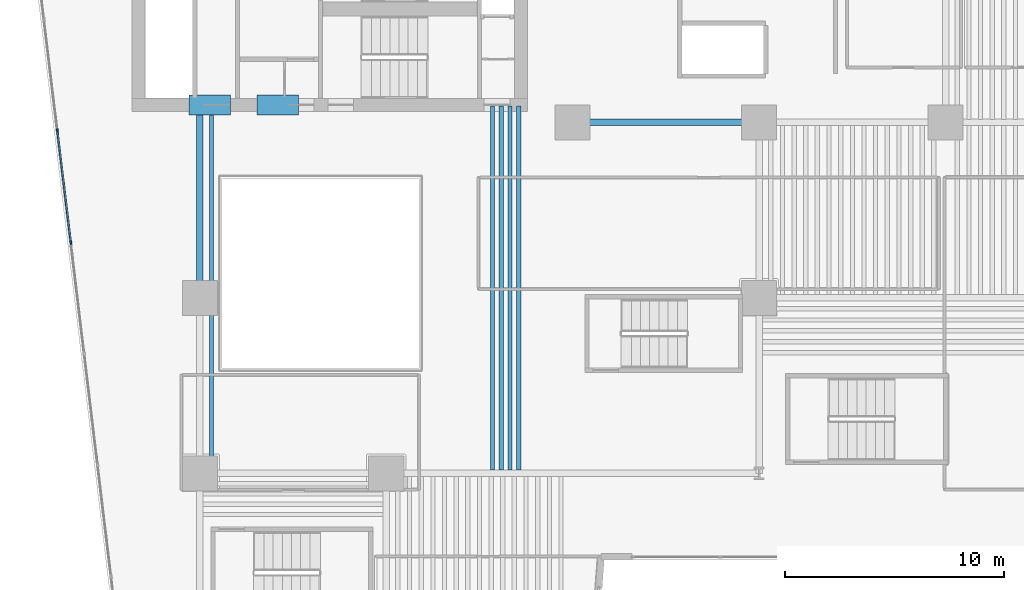
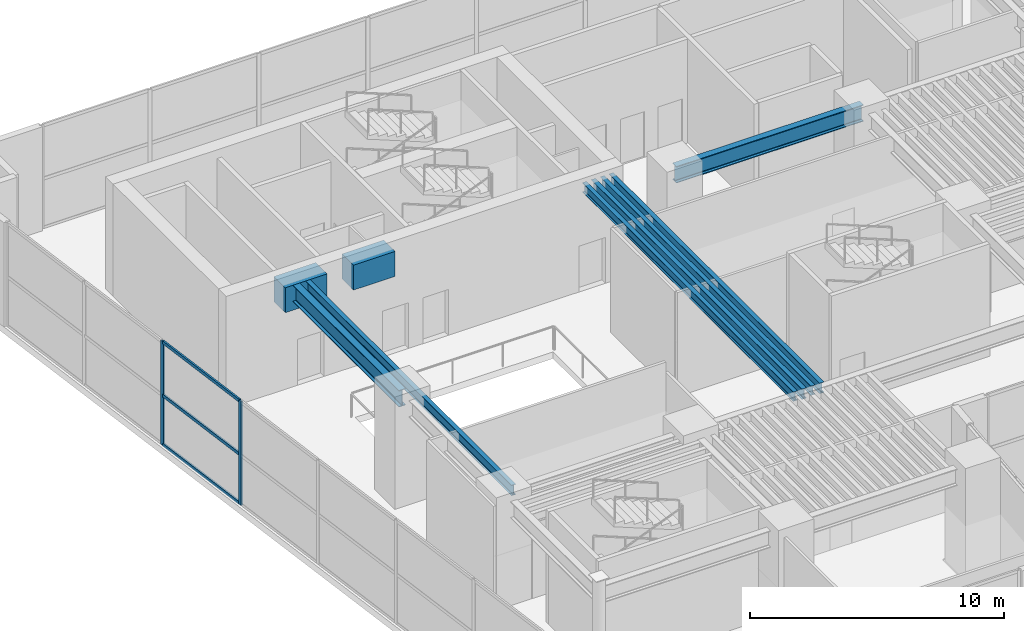
# One storey, part 3 of 16: 9 beams, 5 members, 1 element without a shape of its own.
"""IFC4 building model written with IfcOpenShell, lengths in metres."""

import ifcopenshell
import ifcopenshell.guid

model = None  # the IFC model being written
_history = None  # IfcOwnerHistory: only IFC2X3 demands one
_inside = {}  # id of a spatial element -> (the spatial element, [elements in it])
_under = {}  # id of a project, library or spatial element -> (it, [spatial elements below it])
_declared = {}  # id of a project -> (the project, [libraries it declares])
_typed = {}  # id of a type object -> (the type object, [elements of that type])
_made_of = {}  # id of a material, layer set ... -> (it, [elements and type objects made of it])


def new_model(schema):
    """Start an empty IFC model of exactly this schema.

    Asked for "IFC4X3", IfcOpenShell would pick the latest addendum, in which some entities
    have other attributes; the version numbers below select the first issue.
    IFC2X3 requires an IfcOwnerHistory on every rooted entity: one is made here for all.
    """
    global model, _history
    if schema == "IFC4X3":
        model = ifcopenshell.file(schema_version=(4, 3, 0, 0))
    else:
        model = ifcopenshell.file(schema=schema)
    _inside.clear()
    _under.clear()
    _declared.clear()
    _typed.clear()
    _made_of.clear()
    _history = None
    if model.schema == "IFC2X3":
        org = make("IfcOrganization", Name="unknown")
        user = make(
            "IfcPersonAndOrganization",
            ThePerson=make("IfcPerson", FamilyName="unknown"),
            TheOrganization=org,
        )
        app = make(
            "IfcApplication",
            ApplicationDeveloper=org,
            Version="unknown",
            ApplicationFullName="unknown",
            ApplicationIdentifier="unknown",
        )
        _history = make(
            "IfcOwnerHistory",
            OwningUser=user,
            OwningApplication=app,
            ChangeAction="ADDED",
            CreationDate=0,
        )
    return model


def make(cls, **values):
    """One entity of the class cls with the attributes given. An attribute that is None is left unset."""
    return model.create_entity(
        cls, **{name: value for name, value in values.items() if value is not None}
    )


def rooted(cls, **values):
    """An entity with a GlobalId (a new one), such as an element, a storey or a relation."""
    return make(cls, GlobalId=ifcopenshell.guid.new(), OwnerHistory=_history, **values)


def si_unit(unit_type, name, prefix=None):
    """IfcSIUnit, for example si_unit("LENGTHUNIT", "METRE", prefix="MILLI")."""
    return make("IfcSIUnit", UnitType=unit_type, Prefix=prefix, Name=name)


def assignment(units):
    """IfcUnitAssignment: the units of a project."""
    return None if units is None else make("IfcUnitAssignment", Units=units)


def point(xyz):
    """IfcCartesianPoint."""
    return None if xyz is None else make("IfcCartesianPoint", Coordinates=xyz)


def direction(xyz):
    """IfcDirection."""
    return None if xyz is None else make("IfcDirection", DirectionRatios=xyz)


def frame(location, z_axis=None, x_axis=None):
    """IfcAxis2Placement3D, a coordinate frame: its origin and axes. An axis left out is left unset."""
    return make(
        "IfcAxis2Placement3D",
        Location=point(location),
        Axis=direction(z_axis),
        RefDirection=direction(x_axis),
    )


def frame_2d(location, x_axis=None):
    """IfcAxis2Placement2D, a coordinate frame in the plane: its origin and x axis."""
    return make(
        "IfcAxis2Placement2D", Location=point(location), RefDirection=direction(x_axis)
    )


def origin():
    """The frame at (0, 0, 0) with its axes left unset."""
    return frame((0.0, 0.0, 0.0))


def origin_2d():
    """The frame at (0, 0) in the plane with its x axis left unset."""
    return frame_2d((0.0, 0.0))


def place(relative_to, where):
    """IfcLocalPlacement: puts the frame where relative to a parent placement (None: the world)."""
    return make(
        "IfcLocalPlacement", PlacementRelTo=relative_to, RelativePlacement=where
    )


def context(
    kind, dimensions, precision=None, world=None, true_north=None, identifier=None
):
    """IfcGeometricRepresentationContext, for example the 3D "Model" context."""
    return make(
        "IfcGeometricRepresentationContext",
        ContextIdentifier=identifier,
        ContextType=kind,
        CoordinateSpaceDimension=dimensions,
        Precision=precision,
        WorldCoordinateSystem=world,
        TrueNorth=true_north,
    )


def subcontext(parent, identifier, kind, view, scale=None):
    """IfcGeometricRepresentationSubContext, for example "Body" below "Model"."""
    return make(
        "IfcGeometricRepresentationSubContext",
        ContextIdentifier=identifier,
        ContextType=kind,
        ParentContext=parent,
        TargetScale=scale,
        TargetView=view,
    )


def project(units=None, contexts=None):
    """IfcProject with its units and contexts."""
    return rooted(
        "IfcProject",
        Name="project",
        RepresentationContexts=contexts,
        UnitsInContext=assignment(units),
    )


def spatial(cls, under=None, at=None, **own):
    """A site, building, storey or space (cls), placed at a placement, below another one or the project."""
    s = rooted(cls, ObjectPlacement=at, **own)
    if under is not None:
        _under.setdefault(under.id(), (under, []))[1].append(s)
    return s


def profile(cls, at=None, kind="AREA", **sizes):
    """A parametric profile (cls). Its sizes go by their IFC names, for example OverallWidth=200.0."""
    return make(cls, ProfileType=kind, Position=at, **sizes)


def rectangle(**sizes):
    """IfcRectangleProfileDef."""
    return profile("IfcRectangleProfileDef", **sizes)


def i_section(**sizes):
    """IfcIShapeProfileDef."""
    return profile("IfcIShapeProfileDef", **sizes)


def extrude(swept, where, along, depth):
    """IfcExtrudedAreaSolid: the profile swept, set in the frame where, extruded along a direction by depth."""
    return make(
        "IfcExtrudedAreaSolid",
        SweptArea=swept,
        Position=where,
        ExtrudedDirection=direction(along),
        Depth=depth,
    )


def shape(context_of_items, identifier, shape_type, items):
    """IfcShapeRepresentation: the items that make up one representation, for example the "Body"."""
    return make(
        "IfcShapeRepresentation",
        ContextOfItems=context_of_items,
        RepresentationIdentifier=identifier,
        RepresentationType=shape_type,
        Items=items,
    )


def material(Name=None, Category=None):
    """IfcMaterial."""
    return make("IfcMaterial", Name=Name, Category=Category)


def layer(
    of_material, thickness, ventilated=None, Name=None, Category=None, Priority=None
):
    """IfcMaterialLayer: one layer of a wall or slab, of a material (None: an air gap)."""
    return make(
        "IfcMaterialLayer",
        Material=of_material,
        LayerThickness=thickness,
        IsVentilated=ventilated,
        Name=Name,
        Category=Category,
        Priority=Priority,
    )


def layer_set(layers, Name=None):
    """IfcMaterialLayerSet."""
    return make("IfcMaterialLayerSet", MaterialLayers=layers, LayerSetName=Name)


def material_profile(
    of_material, cross_section, Name=None, Category=None, Priority=None
):
    """IfcMaterialProfile: a cross section and its material."""
    return make(
        "IfcMaterialProfile",
        Name=Name,
        Material=of_material,
        Profile=cross_section,
        Priority=Priority,
        Category=Category,
    )


def profile_set(profiles, Name=None, composite=None):
    """IfcMaterialProfileSet."""
    return make(
        "IfcMaterialProfileSet",
        Name=Name,
        MaterialProfiles=profiles,
        CompositeProfile=composite,
    )


def made_of(thing, what):
    """Note that an element or type object is made of a material, layer set ...; save() writes the relation."""
    if what is not None:
        _made_of.setdefault(what.id(), (what, []))[1].append(thing)
    return thing


def type_object(cls, material=None, **own):
    """A type object (cls), such as IfcWallType, which elements share."""
    return made_of(rooted(cls, **own), material)


def element(
    cls,
    number,
    at=None,
    inside=None,
    cuts=None,
    type_object=None,
    material=None,
    context=None,
    identifier="Body",
    shape_type=None,
    held_by="IfcProductDefinitionShape",
    body=None,
    shapes=None,
    **own,
):
    """One element of the class cls, such as IfcWall. Its Tag is "e" and its number.

    at: its placement. inside: the storey or other place that contains it. cuts: it is an
    opening in that element (IfcRelVoidsElement). A single representation is given by context,
    identifier, shape_type and body (its items); several are given by shapes. held_by: the class
    of the entity that holds the representations. save() writes the other relations.
    """
    e = rooted(cls, Tag="e%d" % number, ObjectPlacement=at, **own)
    if body is not None:
        shapes = [shape(context, identifier, shape_type, body)]
    if shapes is not None:
        e.Representation = make(held_by, Representations=shapes)
    if inside is not None:
        _inside.setdefault(inside.id(), (inside, []))[1].append(e)
    if cuts is not None:
        rooted(
            "IfcRelVoidsElement", RelatingBuildingElement=cuts, RelatedOpeningElement=e
        )
    if type_object is not None:
        _typed.setdefault(type_object.id(), (type_object, []))[1].append(e)
    return made_of(e, material)


def aggregate(whole, parts):
    """IfcRelAggregates: a whole, such as a stair, and the parts it consists of."""
    return rooted("IfcRelAggregates", RelatingObject=whole, RelatedObjects=parts)


def save(model, path):
    """Write the relations noted so far, then the file.

    IfcRelAggregates (storeys below a building ...), IfcRelContainedInSpatialStructure (elements
    in a storey), IfcRelDefinesByType, IfcRelAssociatesMaterial and IfcRelDeclares: one each for
    every whole, place, type object, material and project.
    """
    for whole, parts in _under.values():
        aggregate(whole, parts)
    for where, things in _inside.values():
        rooted(
            "IfcRelContainedInSpatialStructure",
            RelatedElements=things,
            RelatingStructure=where,
        )
    for kind, things in _typed.values():
        rooted("IfcRelDefinesByType", RelatedObjects=things, RelatingType=kind)
    for what, things in _made_of.values():
        rooted("IfcRelAssociatesMaterial", RelatedObjects=things, RelatingMaterial=what)
    for by, libraries in _declared.values():
        rooted("IfcRelDeclares", RelatingContext=by, RelatedDefinitions=libraries)
    model.write(path)


model = new_model("IFC4")

# Units and contexts
model_context = context("Model", 3, precision=1e-05, world=origin(), true_north=direction((0.0, 1.0)))
body_context = subcontext(model_context, "Body", "Model", "MODEL_VIEW")
ifc_project = project(units=[si_unit("LENGTHUNIT", "METRE"), si_unit("AREAUNIT", "SQUARE_METRE"), si_unit("VOLUMEUNIT", "CUBIC_METRE"), si_unit("PLANEANGLEUNIT", "RADIAN"), si_unit("MASSUNIT", "GRAM", prefix="KILO")], contexts=[model_context])

# Site, building, storey
site_placement = place(None, origin())
site = spatial("IfcSite", under=ifc_project, at=site_placement, CompositionType="ELEMENT")
building_placement = place(site_placement, origin())
building = spatial("IfcBuilding", under=site, at=building_placement, Name="Caeloran Harvest Quay", CompositionType="ELEMENT")
storey_placement = place(building_placement, frame((0.0, 0.0, 16.199951171875)))
storey = spatial("IfcBuildingStorey", under=building, at=storey_placement, Name="L04", CompositionType="ELEMENT", Elevation=16.199951171875)

# Beams
ifc_material_1 = material(Name="Concrete C80/95", Category="concrete")
ifc_material_profile_1 = material_profile(ifc_material_1, rectangle(XDim=0.89990234375, YDim=1.199951171875, at=origin_2d()), Name="RC 900x1200")
ifc_profile_set_1 = profile_set([ifc_material_profile_1], Name="Concrete C80/95")
beam_type_1 = type_object("IfcBeamType", Name="BM-CB-1-RC_900x1200", PredefinedType="LINTEL", material=ifc_profile_set_1)
for number, where, z_axis, x_axis, name in (
    (1, (8.0, 31.800048828125, 4.400146484375), (1.0, 0.0, 0.0), (0.0, 1.0, 0.0), "L04 Core Coupling Beam 1"),
    (2, (11.10009765625, 31.800048828125, 4.400146484375), (1.0, 0.0, 0.0), (0.0, 1.0, 0.0), "L04 Core Coupling Beam 2"),
):
    element("IfcBeam", number, at=place(storey_placement, frame(where, z_axis=z_axis, x_axis=x_axis)), inside=storey, type_object=beam_type_1, Name=name, PredefinedType="LINTEL", context=body_context, shape_type="SweptSolid", body=[
        extrude(rectangle(XDim=0.89990234375, YDim=1.199951171875, at=origin_2d()), origin(), (0.0, 0.0, 1.0), 1.89990234375),
    ])
ifc_material_2 = material(Name="Steel S355J2", Category="steel")
ifc_material_profile_2 = material_profile(ifc_material_2, i_section(OverallWidth=0.300048828125, OverallDepth=0.800048828125, WebThickness=0.017578125, FlangeThickness=0.032958984375, FilletRadius=0.030029296875, at=origin_2d()), Name="HE 800 B")
ifc_profile_set_2 = profile_set([ifc_material_profile_2], Name="Steel S355J2")
beam_type_2 = type_object("IfcBeamType", Name="BM-PG-1-HE_800_B", PredefinedType="BEAM", material=ifc_profile_set_2)
beam_1_placement = place(storey_placement, frame((25.5, 31.0, 4.60009765625), z_axis=(1.0, 0.0, 0.0), x_axis=(0.0, 1.0, 0.0)))
element("IfcBeam", 3, at=beam_1_placement, inside=storey, type_object=beam_type_2, Name="L04 Primary East-West Girder Y=31.0", PredefinedType="BEAM", context=body_context, shape_type="SweptSolid", body=[
    extrude(i_section(OverallWidth=0.300048828125, OverallDepth=0.800048828125, WebThickness=0.017578125, FlangeThickness=0.032958984375, FilletRadius=0.030029296875, at=origin_2d()), origin(), (0.0, 0.0, 1.0), 8.5),
])
beam_2_placement = place(storey_placement, frame((8.5, 23.0, 4.60009765625), z_axis=(0.0, 1.0, 0.0), x_axis=(-1.0, 0.0, 0.0)))
element("IfcBeam", 4, at=beam_2_placement, inside=storey, type_object=beam_type_2, Name="L04 Core South Tie Girder X=8.5", PredefinedType="BEAM", context=body_context, shape_type="SweptSolid", body=[
    extrude(i_section(OverallWidth=0.300048828125, OverallDepth=0.800048828125, WebThickness=0.017578125, FlangeThickness=0.032958984375, FilletRadius=0.030029296875, at=origin_2d()), origin(), (0.0, 0.0, 1.0), 8.75),
])
ifc_material_profile_3 = material_profile(ifc_material_2, i_section(OverallWidth=0.199951171875, OverallDepth=0.5, WebThickness=0.01025390625, FlangeThickness=0.01611328125, FilletRadius=0.02099609375, at=origin_2d()), Name="IPE 500")
ifc_profile_set_3 = profile_set([ifc_material_profile_3], Name="Steel S355J2")
beam_type_3 = type_object("IfcBeamType", Name="BM-SB-2-IPE_500", PredefinedType="JOIST", material=ifc_profile_set_3)
for number, where, z_axis, x_axis, name in (
    (5, (9.03125, 15.14501953125, 4.75), (0.0, 1.0, 0.0), (-1.0, 0.0, 0.0), "L04 Secondary Composite Joist"),
    (6, (22.240478515625, 15.14501953125, 4.75), (0.0, 1.0, 0.0), (-1.0, 0.0, 0.0), "L04 Secondary Composite Joist"),
    (7, (23.046875, 15.14501953125, 4.75), (0.0, 1.0, 0.0), (-1.0, 0.0, 0.0), "L04 Secondary Composite Joist"),
):
    element("IfcBeam", number, at=place(storey_placement, frame(where, z_axis=z_axis, x_axis=x_axis)), inside=storey, type_object=beam_type_3, Name=name, PredefinedType="JOIST", context=body_context, shape_type="SweptSolid", body=[
        extrude(i_section(OverallWidth=0.199951171875, OverallDepth=0.5, WebThickness=0.01025390625, FlangeThickness=0.01611328125, FilletRadius=0.02099609375, at=origin_2d()), origin(), (0.0, 0.0, 1.0), 16.60498046875),
    ])
ifc_material_profile_4 = material_profile(ifc_material_2, i_section(OverallWidth=0.18994140625, OverallDepth=0.449951171875, WebThickness=0.009521484375, FlangeThickness=0.0146484375, FilletRadius=0.02099609375, at=origin_2d()), Name="IPE 450")
ifc_profile_set_4 = profile_set([ifc_material_profile_4], Name="Steel S355J2")
beam_type_4 = type_object("IfcBeamType", Name="BM-SB-3-IPE_450", PredefinedType="JOIST", material=ifc_profile_set_4)
for number, where, z_axis, x_axis, name in (
    (8, (21.83740234375, 15.14501953125, 4.775146484375), (0.0, 1.0, 0.0), (-1.0, 0.0, 0.0), "L04 Secondary Composite Joist"),
    (9, (22.643798828125, 15.14501953125, 4.775146484375), (0.0, 1.0, 0.0), (-1.0, 0.0, 0.0), "L04 Secondary Composite Joist"),
):
    element("IfcBeam", number, at=place(storey_placement, frame(where, z_axis=z_axis, x_axis=x_axis)), inside=storey, type_object=beam_type_4, Name=name, PredefinedType="JOIST", context=body_context, shape_type="SweptSolid", body=[
        extrude(i_section(OverallWidth=0.18994140625, OverallDepth=0.449951171875, WebThickness=0.009521484375, FlangeThickness=0.0146484375, FilletRadius=0.02099609375, at=origin_2d()), origin(), (0.0, 0.0, 1.0), 16.60498046875),
    ])

# Curtain wall, members
ifc_material_3 = material(Name="Aluminium 6063-T6 and Low-E Glazing", Category="aluminium")
ifc_layer = layer(ifc_material_3, 0.179931640625, Name="Aluminium 6063-T6 and Low-E Glazing")
ifc_layer_set = layer_set([ifc_layer], Name="Aluminium 6063-T6 and Low-E Glazing")
curtain_wall_type = type_object("IfcCurtainWallType", Name="CW-SYS-CW-1", PredefinedType="USERDEFINED", material=ifc_layer_set)
curtain_wall_placement = place(storey_placement, origin())
curtain_wall = element("IfcCurtainWall", 10, at=curtain_wall_placement, inside=storey, type_object=curtain_wall_type, Name="L04 Unitised Curtain Wall CW-1 Run 3", ObjectType="CURTAIN_WALL", PredefinedType="USERDEFINED")
ifc_material_4 = material(Name="Aluminium 6063-T6", Category="aluminium")
ifc_material_profile_5 = material_profile(ifc_material_4, rectangle(XDim=0.080078125, YDim=0.179931640625, at=origin_2d()), Name="CW-MULLION-180")
ifc_profile_set_5 = profile_set([ifc_material_profile_5], Name="Aluminium 6063-T6")
member_type_1 = type_object("IfcMemberType", Name="CW-MULLION-180", PredefinedType="MULLION", material=ifc_profile_set_5)
member_1_placement = place(storey_placement, frame((2.6171875, 25.538330078125, 0.0), z_axis=(0.0, 0.0, 1.0), x_axis=(-0.992815527762, -0.11965503681, 0.0)))
member_1 = element("IfcMember", 11, at=member_1_placement, type_object=member_type_1, Name="CW-1 mullion 5", PredefinedType="MULLION", context=body_context, shape_type="SweptSolid", body=[
    extrude(rectangle(XDim=0.080078125, YDim=0.179931640625, at=origin_2d()), origin(), (0.0, 0.0, 1.0), 5.0),
])
member_2_placement = place(storey_placement, frame((2.00537109375, 30.615234375, 0.0), z_axis=(0.0, 0.0, 1.0), x_axis=(-0.992815527762, -0.11965503681, 0.0)))
member_2 = element("IfcMember", 12, at=member_2_placement, type_object=member_type_1, Name="CW-1 mullion 6", PredefinedType="MULLION", context=body_context, shape_type="SweptSolid", body=[
    extrude(rectangle(XDim=0.080078125, YDim=0.179931640625, at=origin_2d()), origin(), (0.0, 0.0, 1.0), 5.0),
])
ifc_material_profile_6 = material_profile(ifc_material_4, rectangle(XDim=0.080078125, YDim=0.14990234375, at=origin_2d()), Name="CW-TRANSOM-150")
ifc_profile_set_6 = profile_set([ifc_material_profile_6], Name="Aluminium 6063-T6")
member_type_2 = type_object("IfcMemberType", Name="CW-TRANSOM-150", PredefinedType="USERDEFINED", material=ifc_profile_set_6)
member_3_placement = place(storey_placement, frame((2.6123046875, 25.578125, 0.0400390625), z_axis=(-0.119657779641, 0.99281519719, 0.0), x_axis=(-0.99281519719, -0.119657779641, 0.0)))
member_3 = element("IfcMember", 13, at=member_3_placement, type_object=member_type_2, Name="CW-1 transom 5.1", ObjectType="TRANSOM", PredefinedType="USERDEFINED", context=body_context, shape_type="SweptSolid", body=[
    extrude(rectangle(XDim=0.080078125, YDim=0.14990234375, at=origin_2d()), origin(), (0.0, 0.0, 1.0), 5.033447265625),
])
member_4_placement = place(storey_placement, frame((2.6123046875, 25.578125, 2.400146484375), z_axis=(-0.119657779641, 0.99281519719, 0.0), x_axis=(-0.99281519719, -0.119657779641, 0.0)))
member_4 = element("IfcMember", 14, at=member_4_placement, type_object=member_type_2, Name="CW-1 transom 5.2", ObjectType="TRANSOM", PredefinedType="USERDEFINED", context=body_context, shape_type="SweptSolid", body=[
    extrude(rectangle(XDim=0.080078125, YDim=0.14990234375, at=origin_2d()), origin(), (0.0, 0.0, 1.0), 5.033447265625),
])
member_5_placement = place(storey_placement, frame((2.6123046875, 25.578125, 4.9599609375), z_axis=(-0.119657779641, 0.99281519719, 0.0), x_axis=(-0.99281519719, -0.119657779641, 0.0)))
member_5 = element("IfcMember", 15, at=member_5_placement, type_object=member_type_2, Name="CW-1 transom 5.3", ObjectType="TRANSOM", PredefinedType="USERDEFINED", context=body_context, shape_type="SweptSolid", body=[
    extrude(rectangle(XDim=0.080078125, YDim=0.14990234375, at=origin_2d()), origin(), (0.0, 0.0, 1.0), 5.033447265625),
])
aggregate(curtain_wall, [member_1, member_2, member_3, member_4, member_5])

save(model, "model.ifc")
